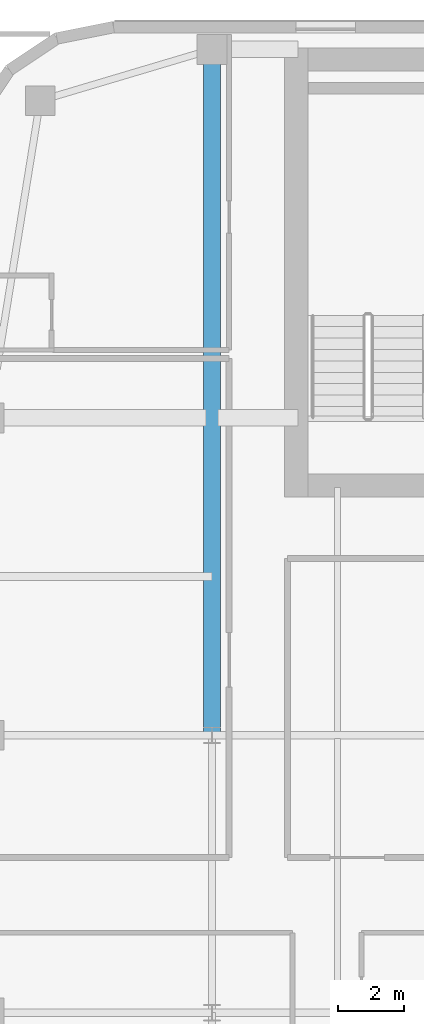
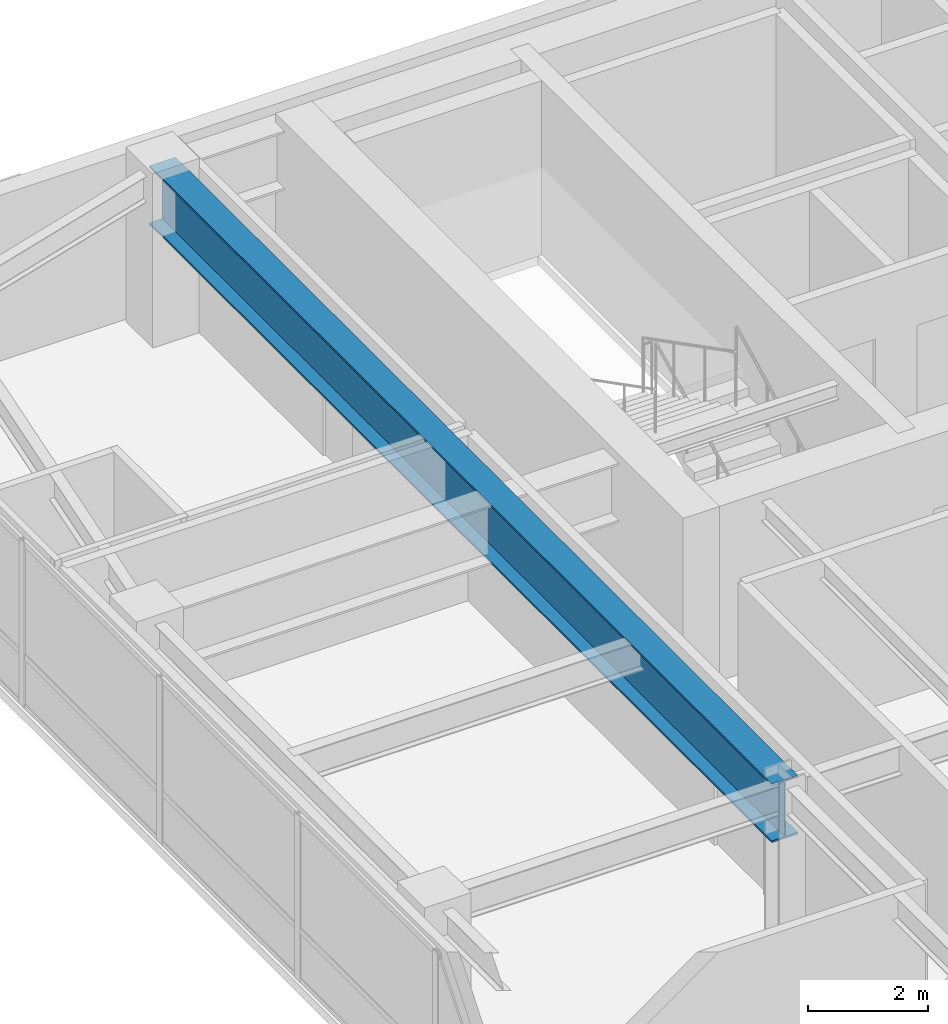
# One storey, part 21 of 37: 1 beam.
"""IFC4 building model written with IfcOpenShell, lengths in metres."""

from ifc_helpers import new_model, si_unit, direction, frame, origin, origin_2d, place, context, subcontext, project, spatial, i_section, extrude, source, transform, mapped, material, material_profile, profile_set, type_object, type_shapes, element, save


model = new_model("IFC4")

# Units and contexts
model_context = context("Model", 3, precision=1e-05, world=origin(), true_north=direction((0.0, 1.0)))
body_context = subcontext(model_context, "Body", "Model", "MODEL_VIEW")
ifc_project = project(units=[si_unit("LENGTHUNIT", "METRE"), si_unit("AREAUNIT", "SQUARE_METRE"), si_unit("VOLUMEUNIT", "CUBIC_METRE"), si_unit("PLANEANGLEUNIT", "RADIAN"), si_unit("MASSUNIT", "GRAM", prefix="KILO")], contexts=[model_context])

# Site, building, storey
site_placement = place(None, origin())
site = spatial("IfcSite", under=ifc_project, at=site_placement, CompositionType="ELEMENT")
building_placement = place(site_placement, origin())
building = spatial("IfcBuilding", under=site, at=building_placement, Name="Tolvann Quenvar Hotel", CompositionType="ELEMENT")
storey_placement = place(building_placement, frame((0.0, 0.0, 104.449951171875)))
storey = spatial("IfcBuildingStorey", under=building, at=storey_placement, Name="L26", CompositionType="ELEMENT", Elevation=104.449951171875)

# Beam
ifc_material = material(Name="Steel Grade 350", Category="steel")
ifc_material_profile = material_profile(ifc_material, i_section(OverallWidth=0.5, OverallDepth=1.199951171875, WebThickness=0.01611328125, FlangeThickness=0.0400390625, at=origin_2d()), Name="1200WB455")
ifc_profile_set = profile_set([ifc_material_profile], Name="Steel Grade 350")
beam_type = type_object("IfcBeamType", Name="BM_TG_1200WB455", PredefinedType="USERDEFINED", material=ifc_profile_set)
shared_shape = source(origin(), body_context, "Body", "SweptSolid", [
    extrude(i_section(OverallWidth=0.5, OverallDepth=1.199951171875, WebThickness=0.01611328125, FlangeThickness=0.0400390625, at=origin_2d()), origin(), (0.0, 0.0, 1.0), 20.75),
])
type_shapes(beam_type, [shared_shape])
beam_placement = place(storey_placement, frame((7.60009765625, 24.39990234375, 2.77001953125), z_axis=(0.0, 1.0, 0.0), x_axis=(-1.0, 0.0, 0.0)))
element("IfcBeam", 1, at=beam_placement, inside=storey, type_object=beam_type, Name="BM-L26-FLK-WC", ObjectType="TRANSFER GIRDER", PredefinedType="USERDEFINED", context=body_context, shape_type="MappedRepresentation", body=[
    mapped(shared_shape, transform((0.0, 0.0, 0.0), x_axis=(1.0, 0.0, 0.0), y_axis=(0.0, 1.0, 0.0), z_axis=(0.0, 0.0, 1.0), scale=1.0)),
])

save(model, "model.ifc")
